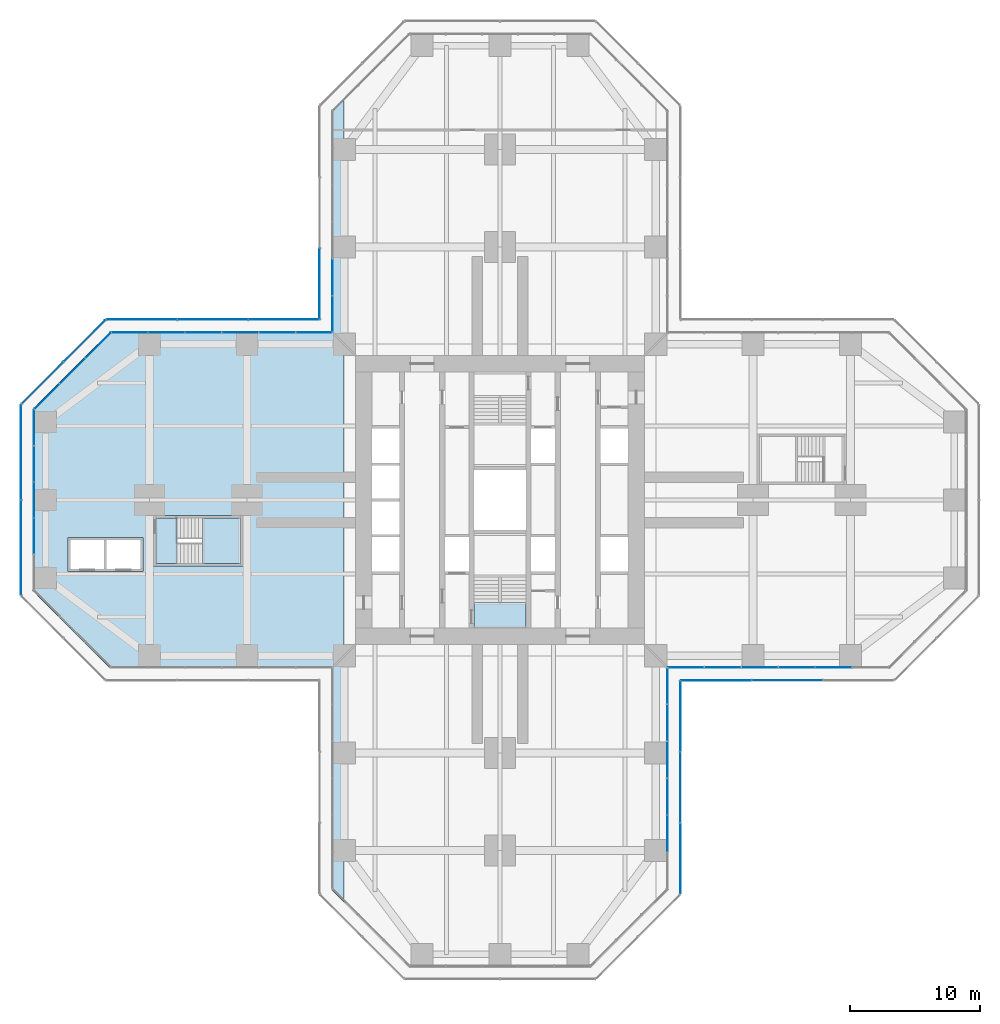
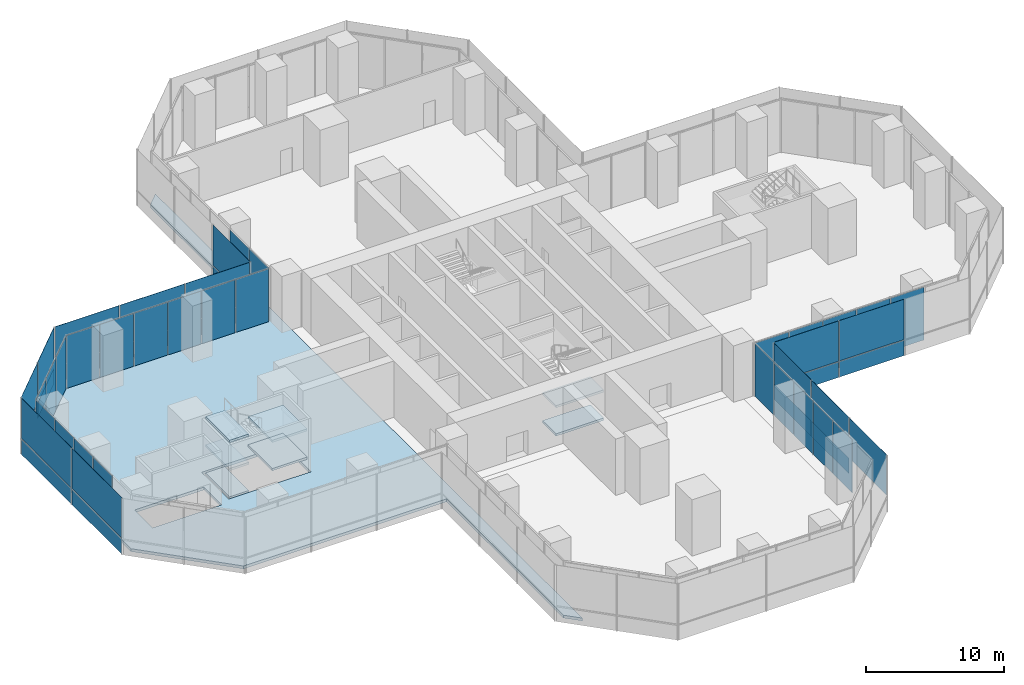
# One storey, part 14 of 23: 50 plates, 8 slabs, 14 elements without a shape of their own.
"""IFC4 building model written with IfcOpenShell, lengths in metres."""

from ifc_helpers import new_model, si_unit, direction, frame, origin, origin_2d, place, context, subcontext, project, spatial, polyline, rectangle, outline, extrude, material, layer, layer_set, type_object, element, aggregate, save


model = new_model("IFC4")

# Units and contexts
model_context = context("Model", 3, precision=1e-05, world=origin(), true_north=direction((0.0, 1.0)))
body_context = subcontext(model_context, "Body", "Model", "MODEL_VIEW")
ifc_project = project(units=[si_unit("LENGTHUNIT", "METRE"), si_unit("AREAUNIT", "SQUARE_METRE"), si_unit("VOLUMEUNIT", "CUBIC_METRE"), si_unit("PLANEANGLEUNIT", "RADIAN"), si_unit("MASSUNIT", "GRAM", prefix="KILO")], contexts=[model_context])

# Site, building, storey
site_placement = place(None, origin())
site = spatial("IfcSite", under=ifc_project, at=site_placement, CompositionType="ELEMENT")
building_placement = place(site_placement, origin())
building = spatial("IfcBuilding", under=site, at=building_placement, Name="Mizan Broadcast Tower", CompositionType="ELEMENT")
storey_placement = place(building_placement, frame((0.0, 0.0, 28.0)))
storey = spatial("IfcBuildingStorey", under=building, at=storey_placement, Name="L04", CompositionType="ELEMENT", Elevation=28.0)

# Curtain wall, plates
ifc_material_1 = material(Name="Aluminium framed glazing", Category="aluminium")
curtain_wall_type_1 = type_object("IfcCurtainWallType", Name="OUTER SKIN", PredefinedType="USERDEFINED", material=ifc_material_1)
curtain_wall_1_placement = place(storey_placement, origin())
curtain_wall_1 = element("IfcCurtainWall", 1, at=curtain_wall_1_placement, inside=storey, type_object=curtain_wall_type_1, Name="Outer skin L04 E side", ObjectType="OUTER SKIN", PredefinedType="USERDEFINED")
ifc_material_2 = material(Name="Laminated clear glass", Category="glass")
ifc_layer_1 = layer(ifc_material_2, 0.02001953125)
ifc_layer_set_1 = layer_set([ifc_layer_1], Name="Laminated clear glass")
plate_type_1 = type_object("IfcPlateType", Name="OUTER SKIN CLEAR GLASS", PredefinedType="CURTAIN_PANEL", material=ifc_layer_set_1)
plate_1_placement = place(storey_placement, frame((16.66552734375, -13.89990234375, 0.0), z_axis=(0.0, 0.0, 1.0), x_axis=(1.0, 0.0, 0.0)))
plate_1 = element("IfcPlate", 2, at=plate_1_placement, type_object=plate_type_1, Name="Outer skin L04 E side panel 1.1", PredefinedType="CURTAIN_PANEL", context=body_context, shape_type="SweptSolid", body=[
    extrude(rectangle(XDim=5.370849609375, YDim=0.02001953125, at=origin_2d()), origin(), (0.0, 0.0, 1.0), 1.3701171875),
])
plate_2_placement = place(storey_placement, frame((16.66552734375, -13.89990234375, 1.43017578125), z_axis=(0.0, 0.0, 1.0), x_axis=(1.0, 0.0, 0.0)))
plate_2 = element("IfcPlate", 3, at=plate_2_placement, type_object=plate_type_1, Name="Outer skin L04 E side panel 1.2", PredefinedType="CURTAIN_PANEL", context=body_context, shape_type="SweptSolid", body=[
    extrude(rectangle(XDim=5.370849609375, YDim=0.02001953125, at=origin_2d()), origin(), (0.0, 0.0, 1.0), 3.570068359375),
])

curtain_wall_2_placement = place(storey_placement, origin())
curtain_wall_2 = element("IfcCurtainWall", 4, at=curtain_wall_2_placement, inside=storey, type_object=curtain_wall_type_1, Name="Outer skin L04 N side", ObjectType="OUTER SKIN", PredefinedType="USERDEFINED")
plate_3_placement = place(storey_placement, frame((-13.89990234375, 16.66552734375, 0.0), z_axis=(0.0, 0.0, 1.0), x_axis=(0.0, -1.0, 0.0)))
plate_3 = element("IfcPlate", 5, at=plate_3_placement, type_object=plate_type_1, Name="Outer skin L04 N side panel 3.1", PredefinedType="CURTAIN_PANEL", context=body_context, shape_type="SweptSolid", body=[
    extrude(rectangle(XDim=5.370849609375, YDim=0.02001953125, at=origin_2d()), origin(), (0.0, 0.0, 1.0), 1.3701171875),
])
plate_4_placement = place(storey_placement, frame((-13.89990234375, 16.66552734375, 1.43017578125), z_axis=(0.0, 0.0, 1.0), x_axis=(0.0, -1.0, 0.0)))
plate_4 = element("IfcPlate", 6, at=plate_4_placement, type_object=plate_type_1, Name="Outer skin L04 N side panel 3.2", PredefinedType="CURTAIN_PANEL", context=body_context, shape_type="SweptSolid", body=[
    extrude(rectangle(XDim=5.370849609375, YDim=0.02001953125, at=origin_2d()), origin(), (0.0, 0.0, 1.0), 3.570068359375),
])
aggregate(curtain_wall_2, [plate_3, plate_4])

curtain_wall_3_placement = place(storey_placement, origin())
curtain_wall_3 = element("IfcCurtainWall", 7, at=curtain_wall_3_placement, inside=storey, type_object=curtain_wall_type_1, Name="Outer skin L04 W side", ObjectType="OUTER SKIN", PredefinedType="USERDEFINED")
plate_5_placement = place(storey_placement, frame((-16.66552734375, 13.89990234375, 0.0), z_axis=(0.0, 0.0, 1.0), x_axis=(-1.0, 0.0, 0.0)))
plate_5 = element("IfcPlate", 8, at=plate_5_placement, type_object=plate_type_1, Name="Outer skin L04 W side panel 1.1", PredefinedType="CURTAIN_PANEL", context=body_context, shape_type="SweptSolid", body=[
    extrude(rectangle(XDim=5.370849609375, YDim=0.02001953125, at=origin_2d()), origin(), (0.0, 0.0, 1.0), 1.3701171875),
])
plate_6_placement = place(storey_placement, frame((-16.66552734375, 13.89990234375, 1.43017578125), z_axis=(0.0, 0.0, 1.0), x_axis=(-1.0, 0.0, 0.0)))
plate_6 = element("IfcPlate", 9, at=plate_6_placement, type_object=plate_type_1, Name="Outer skin L04 W side panel 1.2", PredefinedType="CURTAIN_PANEL", context=body_context, shape_type="SweptSolid", body=[
    extrude(rectangle(XDim=5.370849609375, YDim=0.02001953125, at=origin_2d()), origin(), (0.0, 0.0, 1.0), 3.570068359375),
])
plate_7_placement = place(storey_placement, frame((-22.136474609375, 13.89990234375, 0.0), z_axis=(0.0, 0.0, 1.0), x_axis=(-1.0, 0.0, 0.0)))
plate_7 = element("IfcPlate", 10, at=plate_7_placement, type_object=plate_type_1, Name="Outer skin L04 W side panel 2.1", PredefinedType="CURTAIN_PANEL", context=body_context, shape_type="SweptSolid", body=[
    extrude(rectangle(XDim=5.410888671875, YDim=0.02001953125, at=origin_2d()), origin(), (0.0, 0.0, 1.0), 1.3701171875),
])
plate_8_placement = place(storey_placement, frame((-22.136474609375, 13.89990234375, 1.43017578125), z_axis=(0.0, 0.0, 1.0), x_axis=(-1.0, 0.0, 0.0)))
plate_8 = element("IfcPlate", 11, at=plate_8_placement, type_object=plate_type_1, Name="Outer skin L04 W side panel 2.2", PredefinedType="CURTAIN_PANEL", context=body_context, shape_type="SweptSolid", body=[
    extrude(rectangle(XDim=5.410888671875, YDim=0.02001953125, at=origin_2d()), origin(), (0.0, 0.0, 1.0), 3.570068359375),
])
plate_9_placement = place(storey_placement, frame((-27.607421875, 13.89990234375, 0.0), z_axis=(0.0, 0.0, 1.0), x_axis=(-1.0, 0.0, 0.0)))
plate_9 = element("IfcPlate", 12, at=plate_9_placement, type_object=plate_type_1, Name="Outer skin L04 W side panel 3.1", PredefinedType="CURTAIN_PANEL", context=body_context, shape_type="SweptSolid", body=[
    extrude(rectangle(XDim=5.370849609375, YDim=0.02001953125, at=origin_2d()), origin(), (0.0, 0.0, 1.0), 1.3701171875),
])
plate_10_placement = place(storey_placement, frame((-27.607421875, 13.89990234375, 1.43017578125), z_axis=(0.0, 0.0, 1.0), x_axis=(-1.0, 0.0, 0.0)))
plate_10 = element("IfcPlate", 13, at=plate_10_placement, type_object=plate_type_1, Name="Outer skin L04 W side panel 3.2", PredefinedType="CURTAIN_PANEL", context=body_context, shape_type="SweptSolid", body=[
    extrude(rectangle(XDim=5.370849609375, YDim=0.02001953125, at=origin_2d()), origin(), (0.0, 0.0, 1.0), 3.570068359375),
])
aggregate(curtain_wall_3, [plate_5, plate_6, plate_7, plate_8, plate_9, plate_10])

curtain_wall_4_placement = place(storey_placement, origin())
curtain_wall_4 = element("IfcCurtainWall", 14, at=curtain_wall_4_placement, inside=storey, type_object=curtain_wall_type_1, Name="Outer skin L04 W chamfer", ObjectType="OUTER SKIN", PredefinedType="USERDEFINED")
plate_11_placement = place(storey_placement, frame((-32.018798828125, 12.254150390625, 0.0), z_axis=(0.0, 0.0, 1.0), x_axis=(-0.707106781187, -0.707106781187, 0.0)))
plate_11 = element("IfcPlate", 15, at=plate_11_placement, type_object=plate_type_1, Name="Outer skin L04 W chamfer panel 1.1", PredefinedType="CURTAIN_PANEL", context=body_context, shape_type="SweptSolid", body=[
    extrude(rectangle(XDim=4.495361328125, YDim=0.02001953125, at=origin_2d()), origin(), (0.0, 0.0, 1.0), 1.3701171875),
])
plate_12_placement = place(storey_placement, frame((-32.018798828125, 12.254150390625, 1.43017578125), z_axis=(0.0, 0.0, 1.0), x_axis=(-0.707106781187, -0.707106781187, 0.0)))
plate_12 = element("IfcPlate", 16, at=plate_12_placement, type_object=plate_type_1, Name="Outer skin L04 W chamfer panel 1.2", PredefinedType="CURTAIN_PANEL", context=body_context, shape_type="SweptSolid", body=[
    extrude(rectangle(XDim=4.495361328125, YDim=0.02001953125, at=origin_2d()), origin(), (0.0, 0.0, 1.0), 3.570068359375),
])

curtain_wall_5_placement = place(storey_placement, origin())
curtain_wall_5 = element("IfcCurtainWall", 17, at=curtain_wall_5_placement, inside=storey, type_object=curtain_wall_type_1, Name="Outer skin L04 W end", ObjectType="OUTER SKIN", PredefinedType="USERDEFINED")
plate_13_placement = place(storey_placement, frame((-36.89990234375, 3.66650390625, 0.0), z_axis=(0.0, 0.0, 1.0), x_axis=(0.0, -1.0, 0.0)))
plate_13 = element("IfcPlate", 18, at=plate_13_placement, type_object=plate_type_1, Name="Outer skin L04 W end panel 1.1", PredefinedType="CURTAIN_PANEL", context=body_context, shape_type="SweptSolid", body=[
    extrude(rectangle(XDim=7.252685546875, YDim=0.02001953125, at=origin_2d()), origin(), (0.0, 0.0, 1.0), 1.3701171875),
])
plate_14_placement = place(storey_placement, frame((-36.89990234375, 3.66650390625, 1.43017578125), z_axis=(0.0, 0.0, 1.0), x_axis=(0.0, -1.0, 0.0)))
plate_14 = element("IfcPlate", 19, at=plate_14_placement, type_object=plate_type_1, Name="Outer skin L04 W end panel 1.2", PredefinedType="CURTAIN_PANEL", context=body_context, shape_type="SweptSolid", body=[
    extrude(rectangle(XDim=7.252685546875, YDim=0.02001953125, at=origin_2d()), origin(), (0.0, 0.0, 1.0), 3.570068359375),
])

curtain_wall_6_placement = place(storey_placement, origin())
curtain_wall_6 = element("IfcCurtainWall", 20, at=curtain_wall_6_placement, inside=storey, type_object=curtain_wall_type_1, Name="Outer skin L04 S side", ObjectType="OUTER SKIN", PredefinedType="USERDEFINED")
plate_15_placement = place(storey_placement, frame((13.89990234375, -27.607421875, 1.43017578125), z_axis=(0.0, 0.0, 1.0), x_axis=(0.0, 1.0, 0.0)))
plate_15 = element("IfcPlate", 21, at=plate_15_placement, type_object=plate_type_1, Name="Outer skin L04 S side panel 1.2", PredefinedType="CURTAIN_PANEL", context=body_context, shape_type="SweptSolid", body=[
    extrude(rectangle(XDim=5.370849609375, YDim=0.02001953125, at=origin_2d()), origin(), (0.0, 0.0, 1.0), 3.570068359375),
])
plate_16_placement = place(storey_placement, frame((13.89990234375, -16.66552734375, 0.0), z_axis=(0.0, 0.0, 1.0), x_axis=(0.0, 1.0, 0.0)))
plate_16 = element("IfcPlate", 22, at=plate_16_placement, type_object=plate_type_1, Name="Outer skin L04 S side panel 3.1", PredefinedType="CURTAIN_PANEL", context=body_context, shape_type="SweptSolid", body=[
    extrude(rectangle(XDim=5.370849609375, YDim=0.02001953125, at=origin_2d()), origin(), (0.0, 0.0, 1.0), 1.3701171875),
])
plate_17_placement = place(storey_placement, frame((13.89990234375, -16.66552734375, 1.43017578125), z_axis=(0.0, 0.0, 1.0), x_axis=(0.0, 1.0, 0.0)))
plate_17 = element("IfcPlate", 23, at=plate_17_placement, type_object=plate_type_1, Name="Outer skin L04 S side panel 3.2", PredefinedType="CURTAIN_PANEL", context=body_context, shape_type="SweptSolid", body=[
    extrude(rectangle(XDim=5.370849609375, YDim=0.02001953125, at=origin_2d()), origin(), (0.0, 0.0, 1.0), 3.570068359375),
])

# Plate
ifc_material_3 = material(Name="Perforated aluminium, pale anodised", Category="aluminium")
ifc_layer_2 = layer(ifc_material_3, 0.011962890625)
ifc_layer_set_2 = layer_set([ifc_layer_2], Name="Perforated aluminium, pale anodised")
plate_type_2 = type_object("IfcPlateType", Name="OUTER SKIN PERFORATED SCREEN", PredefinedType="USERDEFINED", material=ifc_layer_set_2)
plate_18_placement = place(storey_placement, frame((22.136474609375, -13.89990234375, 0.0), z_axis=(0.0, 0.0, 1.0), x_axis=(1.0, 0.0, 0.0)))
plate_18 = element("IfcPlate", 24, at=plate_18_placement, type_object=plate_type_2, Name="Outer skin L04 E side panel 2.1", ObjectType="SCREEN", PredefinedType="USERDEFINED", context=body_context, shape_type="SweptSolid", body=[
    extrude(rectangle(XDim=5.410888671875, YDim=0.011962890625, at=origin_2d()), origin(), (0.0, 0.0, 1.0), 1.3701171875),
])

plate_19_placement = place(storey_placement, frame((22.136474609375, -13.89990234375, 1.43017578125), z_axis=(0.0, 0.0, 1.0), x_axis=(1.0, 0.0, 0.0)))
plate_19 = element("IfcPlate", 25, at=plate_19_placement, type_object=plate_type_2, Name="Outer skin L04 E side panel 2.2", ObjectType="SCREEN", PredefinedType="USERDEFINED", context=body_context, shape_type="SweptSolid", body=[
    extrude(rectangle(XDim=5.410888671875, YDim=0.011962890625, at=origin_2d()), origin(), (0.0, 0.0, 1.0), 3.570068359375),
])

aggregate(curtain_wall_1, [plate_1, plate_2, plate_18, plate_19])

plate_20_placement = place(storey_placement, frame((-35.254150390625, 9.018798828125, 0.0), z_axis=(0.0, 0.0, 1.0), x_axis=(-0.707106781187, -0.707106781187, 0.0)))
plate_20 = element("IfcPlate", 26, at=plate_20_placement, type_object=plate_type_2, Name="Outer skin L04 W chamfer panel 2.1", ObjectType="SCREEN", PredefinedType="USERDEFINED", context=body_context, shape_type="SweptSolid", body=[
    extrude(rectangle(XDim=4.495361328125, YDim=0.011962890625, at=origin_2d()), origin(), (0.0, 0.0, 1.0), 1.3701171875),
])

plate_21_placement = place(storey_placement, frame((-35.254150390625, 9.018798828125, 1.43017578125), z_axis=(0.0, 0.0, 1.0), x_axis=(-0.707106781187, -0.707106781187, 0.0)))
plate_21 = element("IfcPlate", 27, at=plate_21_placement, type_object=plate_type_2, Name="Outer skin L04 W chamfer panel 2.2", ObjectType="SCREEN", PredefinedType="USERDEFINED", context=body_context, shape_type="SweptSolid", body=[
    extrude(rectangle(XDim=4.495361328125, YDim=0.011962890625, at=origin_2d()), origin(), (0.0, 0.0, 1.0), 3.570068359375),
])

aggregate(curtain_wall_4, [plate_11, plate_12, plate_20, plate_21])

plate_22_placement = place(storey_placement, frame((-36.89990234375, -3.66650390625, 0.0), z_axis=(0.0, 0.0, 1.0), x_axis=(0.0, -1.0, 0.0)))
plate_22 = element("IfcPlate", 28, at=plate_22_placement, type_object=plate_type_2, Name="Outer skin L04 W end panel 2.1", ObjectType="SCREEN", PredefinedType="USERDEFINED", context=body_context, shape_type="SweptSolid", body=[
    extrude(rectangle(XDim=7.252685546875, YDim=0.011962890625, at=origin_2d()), origin(), (0.0, 0.0, 1.0), 1.3701171875),
])

plate_23_placement = place(storey_placement, frame((-36.89990234375, -3.66650390625, 1.43017578125), z_axis=(0.0, 0.0, 1.0), x_axis=(0.0, -1.0, 0.0)))
plate_23 = element("IfcPlate", 29, at=plate_23_placement, type_object=plate_type_2, Name="Outer skin L04 W end panel 2.2", ObjectType="SCREEN", PredefinedType="USERDEFINED", context=body_context, shape_type="SweptSolid", body=[
    extrude(rectangle(XDim=7.252685546875, YDim=0.011962890625, at=origin_2d()), origin(), (0.0, 0.0, 1.0), 3.570068359375),
])

aggregate(curtain_wall_5, [plate_13, plate_14, plate_22, plate_23])

plate_24_placement = place(storey_placement, frame((13.89990234375, -22.136474609375, 0.0), z_axis=(0.0, 0.0, 1.0), x_axis=(0.0, 1.0, 0.0)))
plate_24 = element("IfcPlate", 30, at=plate_24_placement, type_object=plate_type_2, Name="Outer skin L04 S side panel 2.1", ObjectType="SCREEN", PredefinedType="USERDEFINED", context=body_context, shape_type="SweptSolid", body=[
    extrude(rectangle(XDim=5.410888671875, YDim=0.011962890625, at=origin_2d()), origin(), (0.0, 0.0, 1.0), 1.3701171875),
])

plate_25_placement = place(storey_placement, frame((13.89990234375, -22.136474609375, 1.43017578125), z_axis=(0.0, 0.0, 1.0), x_axis=(0.0, 1.0, 0.0)))
plate_25 = element("IfcPlate", 31, at=plate_25_placement, type_object=plate_type_2, Name="Outer skin L04 S side panel 2.2", ObjectType="SCREEN", PredefinedType="USERDEFINED", context=body_context, shape_type="SweptSolid", body=[
    extrude(rectangle(XDim=5.410888671875, YDim=0.011962890625, at=origin_2d()), origin(), (0.0, 0.0, 1.0), 3.570068359375),
])

aggregate(curtain_wall_6, [plate_15, plate_24, plate_25, plate_16, plate_17])

# Curtain wall, plates
ifc_material_4 = material(Name="Aluminium framed glazing", Category="aluminium")
curtain_wall_type_2 = type_object("IfcCurtainWallType", Name="PODIUM CURTAIN WALL", PredefinedType="USERDEFINED", material=ifc_material_4)
curtain_wall_7_placement = place(storey_placement, origin())
curtain_wall_7 = element("IfcCurtainWall", 32, at=curtain_wall_7_placement, inside=storey, type_object=curtain_wall_type_2, Name="Podium curtain wall L04 E side", ObjectType="PODIUM CURTAIN WALL", PredefinedType="USERDEFINED")
ifc_material_5 = material(Name="Double glazing, clear laminated", Category="glass")
ifc_layer_3 = layer(ifc_material_5, 0.031982421875)
ifc_layer_set_3 = layer_set([ifc_layer_3], Name="Double glazing, clear laminated")
plate_type_3 = type_object("IfcPlateType", Name="PODIUM GLAZING UNIT", PredefinedType="CURTAIN_PANEL", material=ifc_layer_set_3)
plate_26_placement = place(storey_placement, frame((14.336669921875, -12.89990234375, 0.0), z_axis=(0.0, 0.0, 1.0), x_axis=(1.0, 0.0, 0.0)))
plate_26 = element("IfcPlate", 33, at=plate_26_placement, type_object=plate_type_3, Name="Podium curtain wall L04 E side panel 1.1", PredefinedType="CURTAIN_PANEL", context=body_context, shape_type="SweptSolid", body=[
    extrude(rectangle(XDim=2.753173828125, YDim=0.031982421875, at=origin_2d()), origin(), (0.0, 0.0, 1.0), 4.68994140625),
])
plate_27_placement = place(storey_placement, frame((17.16455078125, -12.89990234375, 0.0), z_axis=(0.0, 0.0, 1.0), x_axis=(1.0, 0.0, 0.0)))
plate_27 = element("IfcPlate", 34, at=plate_27_placement, type_object=plate_type_3, Name="Podium curtain wall L04 E side panel 2.1", PredefinedType="CURTAIN_PANEL", context=body_context, shape_type="SweptSolid", body=[
    extrude(rectangle(XDim=2.783203125, YDim=0.031982421875, at=origin_2d()), origin(), (0.0, 0.0, 1.0), 4.68994140625),
])
plate_28_placement = place(storey_placement, frame((20.0078125, -12.89990234375, 0.0), z_axis=(0.0, 0.0, 1.0), x_axis=(1.0, 0.0, 0.0)))
plate_28 = element("IfcPlate", 35, at=plate_28_placement, type_object=plate_type_3, Name="Podium curtain wall L04 E side panel 3.1", PredefinedType="CURTAIN_PANEL", context=body_context, shape_type="SweptSolid", body=[
    extrude(rectangle(XDim=2.783203125, YDim=0.031982421875, at=origin_2d()), origin(), (0.0, 0.0, 1.0), 4.68994140625),
])
plate_29_placement = place(storey_placement, frame((22.850830078125, -12.89990234375, 0.0), z_axis=(0.0, 0.0, 1.0), x_axis=(1.0, 0.0, 0.0)))
plate_29 = element("IfcPlate", 36, at=plate_29_placement, type_object=plate_type_3, Name="Podium curtain wall L04 E side panel 4.1", PredefinedType="CURTAIN_PANEL", context=body_context, shape_type="SweptSolid", body=[
    extrude(rectangle(XDim=2.783203125, YDim=0.031982421875, at=origin_2d()), origin(), (0.0, 0.0, 1.0), 4.68994140625),
])
plate_30_placement = place(storey_placement, frame((25.69384765625, -12.89990234375, 0.0), z_axis=(0.0, 0.0, 1.0), x_axis=(1.0, 0.0, 0.0)))
plate_30 = element("IfcPlate", 37, at=plate_30_placement, type_object=plate_type_3, Name="Podium curtain wall L04 E side panel 5.1", PredefinedType="CURTAIN_PANEL", context=body_context, shape_type="SweptSolid", body=[
    extrude(rectangle(XDim=2.783203125, YDim=0.031982421875, at=origin_2d()), origin(), (0.0, 0.0, 1.0), 4.68994140625),
])
aggregate(curtain_wall_7, [plate_26, plate_27, plate_28, plate_29, plate_30])

curtain_wall_8_placement = place(storey_placement, origin())
curtain_wall_8 = element("IfcCurtainWall", 38, at=curtain_wall_8_placement, inside=storey, type_object=curtain_wall_type_2, Name="Podium curtain wall L04 N side", ObjectType="PODIUM CURTAIN WALL", PredefinedType="USERDEFINED")
plate_31_placement = place(storey_placement, frame((-12.89990234375, 17.16455078125, 0.0), z_axis=(0.0, 0.0, 1.0), x_axis=(0.0, -1.0, 0.0)))
plate_31 = element("IfcPlate", 39, at=plate_31_placement, type_object=plate_type_3, Name="Podium curtain wall L04 N side panel 5.1", PredefinedType="CURTAIN_PANEL", context=body_context, shape_type="SweptSolid", body=[
    extrude(rectangle(XDim=2.783203125, YDim=0.031982421875, at=origin_2d()), origin(), (0.0, 0.0, 1.0), 4.68994140625),
])
plate_32_placement = place(storey_placement, frame((-12.89990234375, 14.336669921875, 0.0), z_axis=(0.0, 0.0, 1.0), x_axis=(0.0, -1.0, 0.0)))
plate_32 = element("IfcPlate", 40, at=plate_32_placement, type_object=plate_type_3, Name="Podium curtain wall L04 N side panel 6.1", PredefinedType="CURTAIN_PANEL", context=body_context, shape_type="SweptSolid", body=[
    extrude(rectangle(XDim=2.753173828125, YDim=0.031982421875, at=origin_2d()), origin(), (0.0, 0.0, 1.0), 4.68994140625),
])
aggregate(curtain_wall_8, [plate_31, plate_32])

curtain_wall_9_placement = place(storey_placement, origin())
curtain_wall_9 = element("IfcCurtainWall", 41, at=curtain_wall_9_placement, inside=storey, type_object=curtain_wall_type_2, Name="Podium curtain wall L04 W side", ObjectType="PODIUM CURTAIN WALL", PredefinedType="USERDEFINED")
plate_33_placement = place(storey_placement, frame((-14.336669921875, 12.89990234375, 0.0), z_axis=(0.0, 0.0, 1.0), x_axis=(-1.0, 0.0, 0.0)))
plate_33 = element("IfcPlate", 42, at=plate_33_placement, type_object=plate_type_3, Name="Podium curtain wall L04 W side panel 1.1", PredefinedType="CURTAIN_PANEL", context=body_context, shape_type="SweptSolid", body=[
    extrude(rectangle(XDim=2.753173828125, YDim=0.031982421875, at=origin_2d()), origin(), (0.0, 0.0, 1.0), 4.68994140625),
])
plate_34_placement = place(storey_placement, frame((-17.16455078125, 12.89990234375, 0.0), z_axis=(0.0, 0.0, 1.0), x_axis=(-1.0, 0.0, 0.0)))
plate_34 = element("IfcPlate", 43, at=plate_34_placement, type_object=plate_type_3, Name="Podium curtain wall L04 W side panel 2.1", PredefinedType="CURTAIN_PANEL", context=body_context, shape_type="SweptSolid", body=[
    extrude(rectangle(XDim=2.783203125, YDim=0.031982421875, at=origin_2d()), origin(), (0.0, 0.0, 1.0), 4.68994140625),
])
plate_35_placement = place(storey_placement, frame((-20.0078125, 12.89990234375, 0.0), z_axis=(0.0, 0.0, 1.0), x_axis=(-1.0, 0.0, 0.0)))
plate_35 = element("IfcPlate", 44, at=plate_35_placement, type_object=plate_type_3, Name="Podium curtain wall L04 W side panel 3.1", PredefinedType="CURTAIN_PANEL", context=body_context, shape_type="SweptSolid", body=[
    extrude(rectangle(XDim=2.783203125, YDim=0.031982421875, at=origin_2d()), origin(), (0.0, 0.0, 1.0), 4.68994140625),
])
plate_36_placement = place(storey_placement, frame((-22.850830078125, 12.89990234375, 0.0), z_axis=(0.0, 0.0, 1.0), x_axis=(-1.0, 0.0, 0.0)))
plate_36 = element("IfcPlate", 45, at=plate_36_placement, type_object=plate_type_3, Name="Podium curtain wall L04 W side panel 4.1", PredefinedType="CURTAIN_PANEL", context=body_context, shape_type="SweptSolid", body=[
    extrude(rectangle(XDim=2.783203125, YDim=0.031982421875, at=origin_2d()), origin(), (0.0, 0.0, 1.0), 4.68994140625),
])
plate_37_placement = place(storey_placement, frame((-25.69384765625, 12.89990234375, 0.0), z_axis=(0.0, 0.0, 1.0), x_axis=(-1.0, 0.0, 0.0)))
plate_37 = element("IfcPlate", 46, at=plate_37_placement, type_object=plate_type_3, Name="Podium curtain wall L04 W side panel 5.1", PredefinedType="CURTAIN_PANEL", context=body_context, shape_type="SweptSolid", body=[
    extrude(rectangle(XDim=2.783203125, YDim=0.031982421875, at=origin_2d()), origin(), (0.0, 0.0, 1.0), 4.68994140625),
])
plate_38_placement = place(storey_placement, frame((-28.52197265625, 12.89990234375, 0.0), z_axis=(0.0, 0.0, 1.0), x_axis=(-1.0, 0.0, 0.0)))
plate_38 = element("IfcPlate", 47, at=plate_38_placement, type_object=plate_type_3, Name="Podium curtain wall L04 W side panel 6.1", PredefinedType="CURTAIN_PANEL", context=body_context, shape_type="SweptSolid", body=[
    extrude(rectangle(XDim=2.753173828125, YDim=0.031982421875, at=origin_2d()), origin(), (0.0, 0.0, 1.0), 4.68994140625),
])
aggregate(curtain_wall_9, [plate_33, plate_34, plate_35, plate_36, plate_37, plate_38])

curtain_wall_10_placement = place(storey_placement, origin())
curtain_wall_10 = element("IfcCurtainWall", 48, at=curtain_wall_10_placement, inside=storey, type_object=curtain_wall_type_2, Name="Podium curtain wall L04 W chamfer", ObjectType="PODIUM CURTAIN WALL", PredefinedType="USERDEFINED")
plate_39_placement = place(storey_placement, frame((-30.95947265625, 11.899169921875, 0.0), z_axis=(0.0, 0.0, 1.0), x_axis=(-0.707106781187, -0.707106781187, 0.0)))
plate_39 = element("IfcPlate", 49, at=plate_39_placement, type_object=plate_type_3, Name="Podium curtain wall L04 W chamfer panel 1.1", PredefinedType="CURTAIN_PANEL", context=body_context, shape_type="SweptSolid", body=[
    extrude(rectangle(XDim=2.710693359375, YDim=0.031982421875, at=origin_2d()), origin(), (0.0, 0.0, 1.0), 4.68994140625),
])
plate_40_placement = place(storey_placement, frame((-32.92919921875, 9.92919921875, 0.0), z_axis=(0.0, 0.0, 1.0), x_axis=(-0.707106781187, -0.707106781187, 0.0)))
plate_40 = element("IfcPlate", 50, at=plate_40_placement, type_object=plate_type_3, Name="Podium curtain wall L04 W chamfer panel 2.1", PredefinedType="CURTAIN_PANEL", context=body_context, shape_type="SweptSolid", body=[
    extrude(rectangle(XDim=2.74072265625, YDim=0.031982421875, at=origin_2d()), origin(), (0.0, 0.0, 1.0), 4.68994140625),
])
plate_41_placement = place(storey_placement, frame((-34.899169921875, 7.95947265625, 0.0), z_axis=(0.0, 0.0, 1.0), x_axis=(-0.707106781187, -0.707106781187, 0.0)))
plate_41 = element("IfcPlate", 51, at=plate_41_placement, type_object=plate_type_3, Name="Podium curtain wall L04 W chamfer panel 3.1", PredefinedType="CURTAIN_PANEL", context=body_context, shape_type="SweptSolid", body=[
    extrude(rectangle(XDim=2.710693359375, YDim=0.031982421875, at=origin_2d()), origin(), (0.0, 0.0, 1.0), 4.68994140625),
])
aggregate(curtain_wall_10, [plate_39, plate_40, plate_41])

curtain_wall_11_placement = place(storey_placement, origin())
curtain_wall_11 = element("IfcCurtainWall", 52, at=curtain_wall_11_placement, inside=storey, type_object=curtain_wall_type_2, Name="Podium curtain wall L04 W end", ObjectType="PODIUM CURTAIN WALL", PredefinedType="USERDEFINED")
plate_42_placement = place(storey_placement, frame((-35.89990234375, 5.5517578125, 0.0), z_axis=(0.0, 0.0, 1.0), x_axis=(0.0, -1.0, 0.0)))
plate_42 = element("IfcPlate", 53, at=plate_42_placement, type_object=plate_type_3, Name="Podium curtain wall L04 W end panel 1.1", PredefinedType="CURTAIN_PANEL", context=body_context, shape_type="SweptSolid", body=[
    extrude(rectangle(XDim=2.693359375, YDim=0.031982421875, at=origin_2d()), origin(), (0.0, 0.0, 1.0), 4.68994140625),
])
plate_43_placement = place(storey_placement, frame((-35.89990234375, 2.783447265625, 0.0), z_axis=(0.0, 0.0, 1.0), x_axis=(0.0, -1.0, 0.0)))
plate_43 = element("IfcPlate", 54, at=plate_43_placement, type_object=plate_type_3, Name="Podium curtain wall L04 W end panel 2.1", PredefinedType="CURTAIN_PANEL", context=body_context, shape_type="SweptSolid", body=[
    extrude(rectangle(XDim=2.723388671875, YDim=0.031982421875, at=origin_2d()), origin(), (0.0, 0.0, 1.0), 4.68994140625),
])
plate_44_placement = place(storey_placement, frame((-35.89990234375, 0.0, 0.0), z_axis=(0.0, 0.0, 1.0), x_axis=(0.0, -1.0, 0.0)))
plate_44 = element("IfcPlate", 55, at=plate_44_placement, type_object=plate_type_3, Name="Podium curtain wall L04 W end panel 3.1", PredefinedType="CURTAIN_PANEL", context=body_context, shape_type="SweptSolid", body=[
    extrude(rectangle(XDim=2.723388671875, YDim=0.031982421875, at=origin_2d()), origin(), (0.0, 0.0, 1.0), 4.68994140625),
])
plate_45_placement = place(storey_placement, frame((-35.89990234375, -2.783447265625, 0.0), z_axis=(0.0, 0.0, 1.0), x_axis=(0.0, -1.0, 0.0)))
plate_45 = element("IfcPlate", 56, at=plate_45_placement, type_object=plate_type_3, Name="Podium curtain wall L04 W end panel 4.1", PredefinedType="CURTAIN_PANEL", context=body_context, shape_type="SweptSolid", body=[
    extrude(rectangle(XDim=2.723388671875, YDim=0.031982421875, at=origin_2d()), origin(), (0.0, 0.0, 1.0), 4.68994140625),
])
aggregate(curtain_wall_11, [plate_42, plate_43, plate_44, plate_45])

curtain_wall_12_placement = place(storey_placement, origin())
curtain_wall_12 = element("IfcCurtainWall", 57, at=curtain_wall_12_placement, inside=storey, type_object=curtain_wall_type_2, Name="Podium curtain wall L04 S side", ObjectType="PODIUM CURTAIN WALL", PredefinedType="USERDEFINED")
plate_46_placement = place(storey_placement, frame((12.89990234375, -25.69384765625, 0.0), z_axis=(0.0, 0.0, 1.0), x_axis=(0.0, 1.0, 0.0)))
plate_46 = element("IfcPlate", 58, at=plate_46_placement, type_object=plate_type_3, Name="Podium curtain wall L04 S side panel 2.1", PredefinedType="CURTAIN_PANEL", context=body_context, shape_type="SweptSolid", body=[
    extrude(rectangle(XDim=2.783203125, YDim=0.031982421875, at=origin_2d()), origin(), (0.0, 0.0, 1.0), 4.68994140625),
])
plate_47_placement = place(storey_placement, frame((12.89990234375, -22.850830078125, 0.0), z_axis=(0.0, 0.0, 1.0), x_axis=(0.0, 1.0, 0.0)))
plate_47 = element("IfcPlate", 59, at=plate_47_placement, type_object=plate_type_3, Name="Podium curtain wall L04 S side panel 3.1", PredefinedType="CURTAIN_PANEL", context=body_context, shape_type="SweptSolid", body=[
    extrude(rectangle(XDim=2.783203125, YDim=0.031982421875, at=origin_2d()), origin(), (0.0, 0.0, 1.0), 4.68994140625),
])
plate_48_placement = place(storey_placement, frame((12.89990234375, -20.0078125, 0.0), z_axis=(0.0, 0.0, 1.0), x_axis=(0.0, 1.0, 0.0)))
plate_48 = element("IfcPlate", 60, at=plate_48_placement, type_object=plate_type_3, Name="Podium curtain wall L04 S side panel 4.1", PredefinedType="CURTAIN_PANEL", context=body_context, shape_type="SweptSolid", body=[
    extrude(rectangle(XDim=2.783203125, YDim=0.031982421875, at=origin_2d()), origin(), (0.0, 0.0, 1.0), 4.68994140625),
])
plate_49_placement = place(storey_placement, frame((12.89990234375, -17.16455078125, 0.0), z_axis=(0.0, 0.0, 1.0), x_axis=(0.0, 1.0, 0.0)))
plate_49 = element("IfcPlate", 61, at=plate_49_placement, type_object=plate_type_3, Name="Podium curtain wall L04 S side panel 5.1", PredefinedType="CURTAIN_PANEL", context=body_context, shape_type="SweptSolid", body=[
    extrude(rectangle(XDim=2.783203125, YDim=0.031982421875, at=origin_2d()), origin(), (0.0, 0.0, 1.0), 4.68994140625),
])
plate_50_placement = place(storey_placement, frame((12.89990234375, -14.336669921875, 0.0), z_axis=(0.0, 0.0, 1.0), x_axis=(0.0, 1.0, 0.0)))
plate_50 = element("IfcPlate", 62, at=plate_50_placement, type_object=plate_type_3, Name="Podium curtain wall L04 S side panel 6.1", PredefinedType="CURTAIN_PANEL", context=body_context, shape_type="SweptSolid", body=[
    extrude(rectangle(XDim=2.753173828125, YDim=0.031982421875, at=origin_2d()), origin(), (0.0, 0.0, 1.0), 4.68994140625),
])
aggregate(curtain_wall_12, [plate_46, plate_47, plate_48, plate_49, plate_50])

# Slab
ifc_material_6 = material(Name="Concrete C40/50", Category="concrete")
ifc_layer_4 = layer(ifc_material_6, 0.25)
ifc_layer_set_4 = layer_set([ifc_layer_4], Name="Concrete C40/50")
slab_type_1 = type_object("IfcSlabType", Name="RC FLAT SLAB 250", PredefinedType="FLOOR", material=ifc_layer_set_4)
slab_1_placement = place(storey_placement, frame((0.0, 0.0, -0.25)))
element("IfcSlab", 63, at=slab_1_placement, inside=storey, type_object=slab_type_1, Name="Floor slab L04 west arm", PredefinedType="FLOOR", context=body_context, shape_type="SweptSolid", body=[
    extrude(outline(polyline([(-13.0, -13.0), (-13.0, -30.0), (-12.0, -31.0), (-12.0, 31.0), (-13.0, 30.0), (-13.0, 13.0), (-30.0, 13.0), (-36.0, 7.0), (-36.0, -7.0), (-30.0, -13.0), (-13.0, -13.0)]), holes=[polyline([(-19.800048828125, -5.10009765625), (-26.699951171875, -5.10009765625), (-26.699951171875, -1.199951171875), (-19.800048828125, -1.199951171875), (-19.800048828125, -5.10009765625)]), polyline([(-33.300048828125, -5.5), (-33.300048828125, -2.89990234375), (-27.5, -2.89990234375), (-27.5, -5.5), (-33.300048828125, -5.5)])]), origin(), (0.0, 0.0, 1.0), 0.25),
])

# Stair, slabs
ifc_material_7 = material(Name="Concrete C40/50", Category="concrete")
stair_type = type_object("IfcStairType", Name="EXIT STAIR", PredefinedType="HALF_TURN_STAIR", material=ifc_material_7)
stair_1_placement = place(storey_placement, origin())
stair_1 = element("IfcStair", 64, at=stair_1_placement, inside=storey, type_object=stair_type, Name="Stair A L04", PredefinedType="HALF_TURN_STAIR")
ifc_material_8 = material(Name="Concrete C40/50", Category="concrete")
ifc_layer_5 = layer(ifc_material_8, 0.199951171875)
ifc_layer_set_5 = layer_set([ifc_layer_5], Name="Concrete C40/50")
slab_type_2 = type_object("IfcSlabType", Name="STAIR LANDING 200", PredefinedType="LANDING", material=ifc_layer_set_5)
slab_2_placement = place(storey_placement, frame((0.0, 0.0, -0.199951171875)))
slab_2 = element("IfcSlab", 65, at=slab_2_placement, type_object=slab_type_2, Name="A landing 1", PredefinedType="LANDING", context=body_context, shape_type="SweptSolid", body=[
    extrude(outline(polyline([(-2.0, -9.85009765625), (-2.0, -7.89990234375), (2.0, -7.89990234375), (2.0, -9.85009765625), (-2.0, -9.85009765625)])), origin(), (0.0, 0.0, 1.0), 0.199951171875),
])
slab_3_placement = place(storey_placement, frame((0.0, 0.0, 2.300048828125)))
slab_3 = element("IfcSlab", 66, at=slab_3_placement, type_object=slab_type_2, Name="A landing 3", PredefinedType="LANDING", context=body_context, shape_type="SweptSolid", body=[
    extrude(outline(polyline([(-2.0, -9.85009765625), (-2.0, -7.89990234375), (2.0, -7.89990234375), (2.0, -9.85009765625), (-2.0, -9.85009765625)])), origin(), (0.0, 0.0, 1.0), 0.199951171875),
])
aggregate(stair_1, [slab_2, slab_3])

stair_2_placement = place(storey_placement, origin())
stair_2 = element("IfcStair", 67, at=stair_2_placement, inside=storey, type_object=stair_type, Name="Stair D L04", PredefinedType="HALF_TURN_STAIR")
slab_4_placement = place(storey_placement, frame((0.0, 0.0, -0.199951171875)))
slab_4 = element("IfcSlab", 68, at=slab_4_placement, type_object=slab_type_2, Name="D landing 1", PredefinedType="LANDING", context=body_context, shape_type="SweptSolid", body=[
    extrude(outline(polyline([(-26.5, -1.39990234375), (-24.889892578125, -1.39990234375), (-24.889892578125, -4.89990234375), (-26.5, -4.89990234375), (-26.5, -1.39990234375)])), origin(), (0.0, 0.0, 1.0), 0.199951171875),
])
slab_5_placement = place(storey_placement, frame((0.0, 0.0, 1.050048828125)))
slab_5 = element("IfcSlab", 69, at=slab_5_placement, type_object=slab_type_2, Name="D landing 2", PredefinedType="LANDING", context=body_context, shape_type="SweptSolid", body=[
    extrude(outline(polyline([(-22.929931640625, -1.39990234375), (-20.0, -1.39990234375), (-20.0, -4.89990234375), (-22.929931640625, -4.89990234375), (-22.929931640625, -1.39990234375)])), origin(), (0.0, 0.0, 1.0), 0.199951171875),
])
slab_6_placement = place(storey_placement, frame((0.0, 0.0, 2.300048828125)))
slab_6 = element("IfcSlab", 70, at=slab_6_placement, type_object=slab_type_2, Name="D landing 3", PredefinedType="LANDING", context=body_context, shape_type="SweptSolid", body=[
    extrude(outline(polyline([(-26.5, -1.39990234375), (-24.889892578125, -1.39990234375), (-24.889892578125, -4.89990234375), (-26.5, -4.89990234375), (-26.5, -1.39990234375)])), origin(), (0.0, 0.0, 1.0), 0.199951171875),
])
slab_7_placement = place(storey_placement, frame((0.0, 0.0, 3.550048828125)))
slab_7 = element("IfcSlab", 71, at=slab_7_placement, type_object=slab_type_2, Name="D landing 4", PredefinedType="LANDING", context=body_context, shape_type="SweptSolid", body=[
    extrude(outline(polyline([(-22.929931640625, -1.39990234375), (-20.0, -1.39990234375), (-20.0, -4.89990234375), (-22.929931640625, -4.89990234375), (-22.929931640625, -1.39990234375)])), origin(), (0.0, 0.0, 1.0), 0.199951171875),
])
slab_8_placement = place(storey_placement, frame((0.0, 0.0, 4.800048828125)))
slab_8 = element("IfcSlab", 72, at=slab_8_placement, type_object=slab_type_2, Name="D landing 5", PredefinedType="LANDING", context=body_context, shape_type="SweptSolid", body=[
    extrude(outline(polyline([(-26.5, -1.39990234375), (-24.889892578125, -1.39990234375), (-24.889892578125, -4.89990234375), (-26.5, -4.89990234375), (-26.5, -1.39990234375)])), origin(), (0.0, 0.0, 1.0), 0.199951171875),
])
aggregate(stair_2, [slab_4, slab_5, slab_6, slab_7, slab_8])

save(model, "model.ifc")
